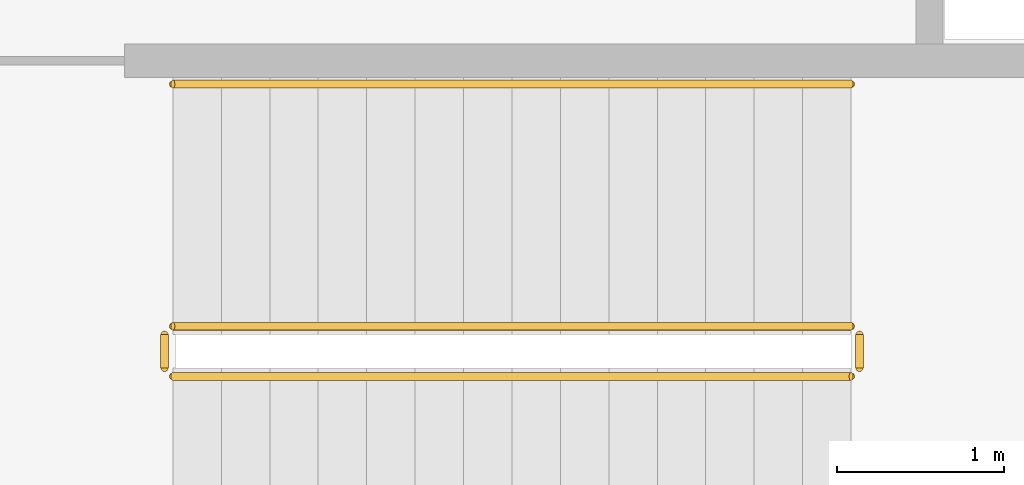
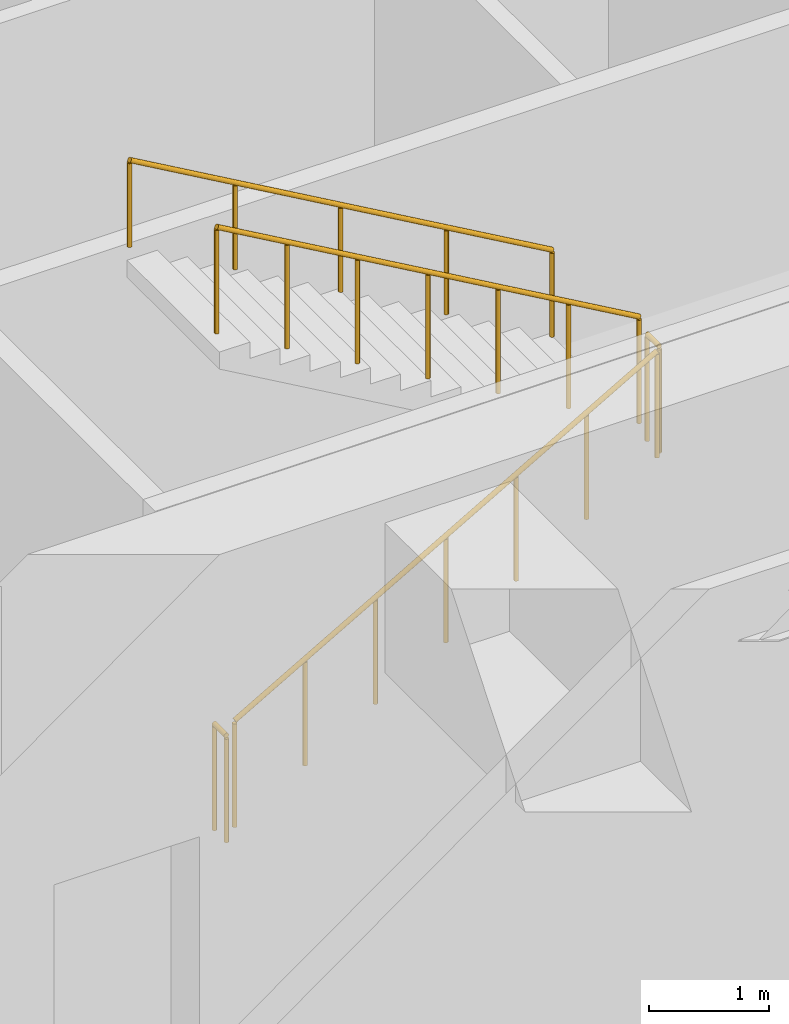
# One storey, part 30 of 31: 5 railings.
"""IFC4 building model written with IfcOpenShell, lengths in metres."""

from ifc_helpers import new_model, si_unit, direction, frame, origin, origin_2d, place, context, subcontext, project, spatial, circle, extrude, material, type_object, element, save


model = new_model("IFC4")

# Units and contexts
model_context = context("Model", 3, precision=1e-05, world=origin(), true_north=direction((0.0, 1.0)))
body_context = subcontext(model_context, "Body", "Model", "MODEL_VIEW")
ifc_project = project(units=[si_unit("LENGTHUNIT", "METRE"), si_unit("AREAUNIT", "SQUARE_METRE"), si_unit("VOLUMEUNIT", "CUBIC_METRE"), si_unit("PLANEANGLEUNIT", "RADIAN"), si_unit("MASSUNIT", "GRAM", prefix="KILO")], contexts=[model_context])

# Site, building, storey
site_placement = place(None, origin())
site = spatial("IfcSite", under=ifc_project, at=site_placement, CompositionType="ELEMENT")
building_placement = place(site_placement, origin())
building = spatial("IfcBuilding", under=site, at=building_placement, Name="Putna Gate Headquarters", CompositionType="ELEMENT")
storey_placement = place(building_placement, frame((0.0, 0.0, 81.0)))
storey = spatial("IfcBuildingStorey", under=building, at=storey_placement, Name="L19", CompositionType="ELEMENT", Elevation=81.0)

# Railings
ifc_material_1 = material(Name="Powder-coated steel stair guardrail", Category="steel")
railing_type_1 = type_object("IfcRailingType", Name="RAIL-STAIR-GUARD-1100", PredefinedType="GUARDRAIL", material=ifc_material_1)
railing_1_placement = place(storey_placement, frame((57.89990234375, 21.10009765625, 0.166748046875)))
element("IfcRailing", 1, at=railing_1_placement, inside=storey, type_object=railing_type_1, Name="L19 ST2 stair guard 1", PredefinedType="GUARDRAIL", context=body_context, shape_type="SweptSolid", body=[
    extrude(circle(Radius=0.02392578125, at=origin_2d()), frame((0.0, 0.0, 1.076171875), z_axis=(0.867024558463, 0.0, 0.498265406207), x_axis=(0.0, 1.0, 0.0)), (0.0, 0.0, 1.0), 4.682861328125),
    extrude(circle(Radius=0.02099609375, at=origin_2d()), origin(), (0.0, 0.0, 1.0), 1.052001953125),
    extrude(circle(Radius=0.02099609375, at=origin_2d()), frame((0.6767578125, 0.0, 0.388916015625)), (0.0, 0.0, 1.0), 1.052001953125),
    extrude(circle(Radius=0.02099609375, at=origin_2d()), frame((1.353271484375, 0.0, 0.77783203125)), (0.0, 0.0, 1.0), 1.052001953125),
    extrude(circle(Radius=0.02099609375, at=origin_2d()), frame((2.030029296875, 0.0, 1.16650390625)), (0.0, 0.0, 1.0), 1.052001953125),
    extrude(circle(Radius=0.02099609375, at=origin_2d()), frame((2.706787109375, 0.0, 1.555419921875)), (0.0, 0.0, 1.0), 1.052001953125),
    extrude(circle(Radius=0.02099609375, at=origin_2d()), frame((3.38330078125, 0.0, 1.9443359375)), (0.0, 0.0, 1.0), 1.052001953125),
    extrude(circle(Radius=0.02099609375, at=origin_2d()), frame((4.06005859375, 0.0, 2.333251953125)), (0.0, 0.0, 1.0), 1.052001953125),
])
railing_2_placement = place(storey_placement, frame((62.010009765625, 21.14990234375, 2.5)))
element("IfcRailing", 2, at=railing_2_placement, inside=storey, type_object=railing_type_1, Name="L19 ST2 stair guard 2", PredefinedType="GUARDRAIL", context=body_context, shape_type="SweptSolid", body=[
    extrude(circle(Radius=0.02392578125, at=origin_2d()), frame((0.0, 0.0, 1.076171875), z_axis=(0.0, 1.0, 0.0), x_axis=(-1.0, 0.0, 0.0)), (0.0, 0.0, 1.0), 0.2001953125),
    extrude(circle(Radius=0.02099609375, at=origin_2d()), origin(), (0.0, 0.0, 1.0), 1.052001953125),
    extrude(circle(Radius=0.02099609375, at=origin_2d()), frame((0.0, 0.2001953125, 0.0)), (0.0, 0.0, 1.0), 1.052001953125),
])
railing_3_placement = place(storey_placement, frame((61.9599609375, 21.39990234375, 2.666748046875)))
element("IfcRailing", 3, at=railing_3_placement, inside=storey, type_object=railing_type_1, Name="L19 ST2 stair guard 3", PredefinedType="GUARDRAIL", context=body_context, shape_type="SweptSolid", body=[
    extrude(circle(Radius=0.02392578125, at=origin_2d()), frame((0.0, 0.0, 1.076171875), z_axis=(-0.867024558463, 0.0, 0.498265406207), x_axis=(0.0, -1.0, 0.0)), (0.0, 0.0, 1.0), 4.682861328125),
    extrude(circle(Radius=0.02099609375, at=origin_2d()), origin(), (0.0, 0.0, 1.0), 1.052001953125),
    extrude(circle(Radius=0.02099609375, at=origin_2d()), frame((-0.6767578125, 0.0, 0.388916015625)), (0.0, 0.0, 1.0), 1.052001953125),
    extrude(circle(Radius=0.02099609375, at=origin_2d()), frame((-1.353271484375, 0.0, 0.77783203125)), (0.0, 0.0, 1.0), 1.052001953125),
    extrude(circle(Radius=0.02099609375, at=origin_2d()), frame((-2.030029296875, 0.0, 1.16650390625)), (0.0, 0.0, 1.0), 1.052001953125),
    extrude(circle(Radius=0.02099609375, at=origin_2d()), frame((-2.706787109375, 0.0, 1.555419921875)), (0.0, 0.0, 1.0), 1.052001953125),
    extrude(circle(Radius=0.02099609375, at=origin_2d()), frame((-3.38330078125, 0.0, 1.9443359375)), (0.0, 0.0, 1.0), 1.052001953125),
    extrude(circle(Radius=0.02099609375, at=origin_2d()), frame((-4.06005859375, 0.0, 2.333251953125)), (0.0, 0.0, 1.0), 1.052001953125),
])
railing_4_placement = place(storey_placement, frame((57.85009765625, 21.14990234375, 0.0)))
element("IfcRailing", 4, at=railing_4_placement, inside=storey, type_object=railing_type_1, Name="L19 ST2 stair guard 4", PredefinedType="GUARDRAIL", context=body_context, shape_type="SweptSolid", body=[
    extrude(circle(Radius=0.02392578125, at=origin_2d()), frame((0.0, 0.0, 1.076171875), z_axis=(0.0, 1.0, 0.0), x_axis=(-1.0, 0.0, 0.0)), (0.0, 0.0, 1.0), 0.2001953125),
    extrude(circle(Radius=0.02099609375, at=origin_2d()), origin(), (0.0, 0.0, 1.0), 1.052001953125),
    extrude(circle(Radius=0.02099609375, at=origin_2d()), frame((0.0, 0.2001953125, 0.0)), (0.0, 0.0, 1.0), 1.052001953125),
])
ifc_material_2 = material(Name="Brushed stainless steel handrail", Category="steel")
railing_type_2 = type_object("IfcRailingType", Name="RAIL-STAIR-HAND-900", PredefinedType="HANDRAIL", material=ifc_material_2)
railing_5_placement = place(storey_placement, frame((61.9599609375, 22.85009765625, 2.666748046875)))
element("IfcRailing", 5, at=railing_5_placement, inside=storey, type_object=railing_type_2, Name="L19 ST2 stair handrail 2", PredefinedType="HANDRAIL", context=body_context, shape_type="SweptSolid", body=[
    extrude(circle(Radius=0.02392578125, at=origin_2d()), frame((0.0, 0.0, 0.8759765625), z_axis=(-0.867024558463, 0.0, 0.498265406207), x_axis=(0.0, -1.0, 0.0)), (0.0, 0.0, 1.0), 4.682861328125),
    extrude(circle(Radius=0.02099609375, at=origin_2d()), origin(), (0.0, 0.0, 1.0), 0.851806640625),
    extrude(circle(Radius=0.02099609375, at=origin_2d()), frame((-1.01513671875, 0.0, 0.583251953125)), (0.0, 0.0, 1.0), 0.851806640625),
    extrude(circle(Radius=0.02099609375, at=origin_2d()), frame((-2.030029296875, 0.0, 1.16650390625)), (0.0, 0.0, 1.0), 0.851806640625),
    extrude(circle(Radius=0.02099609375, at=origin_2d()), frame((-3.044921875, 0.0, 1.75)), (0.0, 0.0, 1.0), 0.851806640625),
    extrude(circle(Radius=0.02099609375, at=origin_2d()), frame((-4.06005859375, 0.0, 2.333251953125)), (0.0, 0.0, 1.0), 0.851806640625),
])

save(model, "model.ifc")
